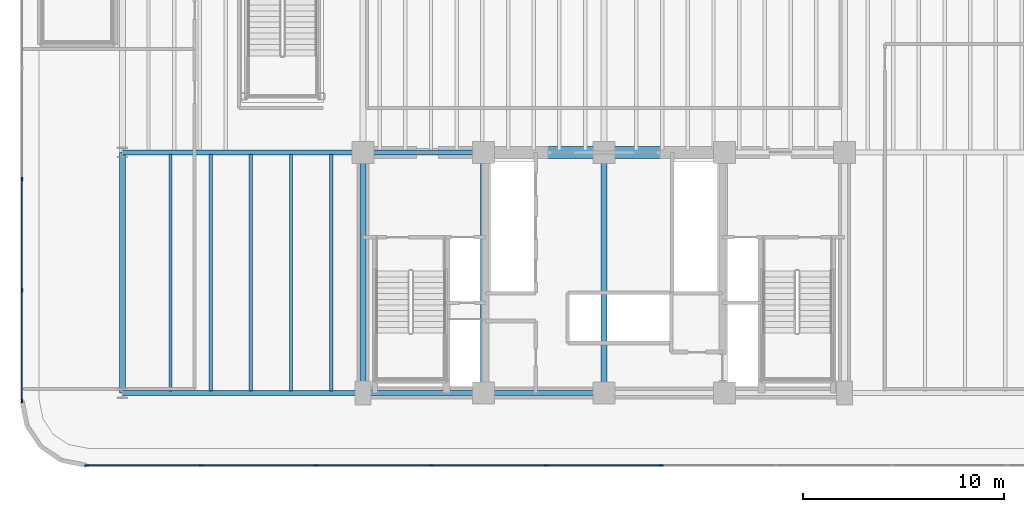
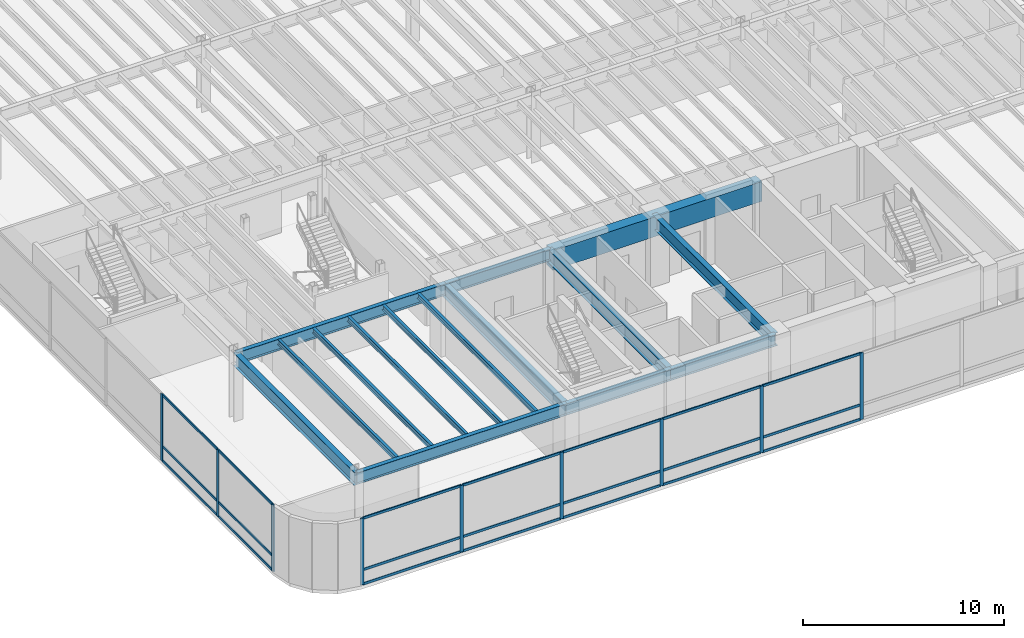
# One storey, part 4 of 19: 30 members, 15 beams, 2 elements without a shape of their own.
"""IFC4 building model written with IfcOpenShell, lengths in metres."""

import ifcopenshell
import ifcopenshell.guid

model = None  # the IFC model being written
_history = None  # IfcOwnerHistory: only IFC2X3 demands one
_inside = {}  # id of a spatial element -> (the spatial element, [elements in it])
_under = {}  # id of a project, library or spatial element -> (it, [spatial elements below it])
_declared = {}  # id of a project -> (the project, [libraries it declares])
_typed = {}  # id of a type object -> (the type object, [elements of that type])
_made_of = {}  # id of a material, layer set ... -> (it, [elements and type objects made of it])


def new_model(schema):
    """Start an empty IFC model of exactly this schema.

    Asked for "IFC4X3", IfcOpenShell would pick the latest addendum, in which some entities
    have other attributes; the version numbers below select the first issue.
    IFC2X3 requires an IfcOwnerHistory on every rooted entity: one is made here for all.
    """
    global model, _history
    if schema == "IFC4X3":
        model = ifcopenshell.file(schema_version=(4, 3, 0, 0))
    else:
        model = ifcopenshell.file(schema=schema)
    _inside.clear()
    _under.clear()
    _declared.clear()
    _typed.clear()
    _made_of.clear()
    _history = None
    if model.schema == "IFC2X3":
        org = make("IfcOrganization", Name="unknown")
        user = make(
            "IfcPersonAndOrganization",
            ThePerson=make("IfcPerson", FamilyName="unknown"),
            TheOrganization=org,
        )
        app = make(
            "IfcApplication",
            ApplicationDeveloper=org,
            Version="unknown",
            ApplicationFullName="unknown",
            ApplicationIdentifier="unknown",
        )
        _history = make(
            "IfcOwnerHistory",
            OwningUser=user,
            OwningApplication=app,
            ChangeAction="ADDED",
            CreationDate=0,
        )
    return model


def make(cls, **values):
    """One entity of the class cls with the attributes given. An attribute that is None is left unset."""
    return model.create_entity(
        cls, **{name: value for name, value in values.items() if value is not None}
    )


def rooted(cls, **values):
    """An entity with a GlobalId (a new one), such as an element, a storey or a relation."""
    return make(cls, GlobalId=ifcopenshell.guid.new(), OwnerHistory=_history, **values)


def si_unit(unit_type, name, prefix=None):
    """IfcSIUnit, for example si_unit("LENGTHUNIT", "METRE", prefix="MILLI")."""
    return make("IfcSIUnit", UnitType=unit_type, Prefix=prefix, Name=name)


def assignment(units):
    """IfcUnitAssignment: the units of a project."""
    return None if units is None else make("IfcUnitAssignment", Units=units)


def point(xyz):
    """IfcCartesianPoint."""
    return None if xyz is None else make("IfcCartesianPoint", Coordinates=xyz)


def direction(xyz):
    """IfcDirection."""
    return None if xyz is None else make("IfcDirection", DirectionRatios=xyz)


def frame(location, z_axis=None, x_axis=None):
    """IfcAxis2Placement3D, a coordinate frame: its origin and axes. An axis left out is left unset."""
    return make(
        "IfcAxis2Placement3D",
        Location=point(location),
        Axis=direction(z_axis),
        RefDirection=direction(x_axis),
    )


def frame_2d(location, x_axis=None):
    """IfcAxis2Placement2D, a coordinate frame in the plane: its origin and x axis."""
    return make(
        "IfcAxis2Placement2D", Location=point(location), RefDirection=direction(x_axis)
    )


def origin():
    """The frame at (0, 0, 0) with its axes left unset."""
    return frame((0.0, 0.0, 0.0))


def origin_2d():
    """The frame at (0, 0) in the plane with its x axis left unset."""
    return frame_2d((0.0, 0.0))


def place(relative_to, where):
    """IfcLocalPlacement: puts the frame where relative to a parent placement (None: the world)."""
    return make(
        "IfcLocalPlacement", PlacementRelTo=relative_to, RelativePlacement=where
    )


def context(
    kind, dimensions, precision=None, world=None, true_north=None, identifier=None
):
    """IfcGeometricRepresentationContext, for example the 3D "Model" context."""
    return make(
        "IfcGeometricRepresentationContext",
        ContextIdentifier=identifier,
        ContextType=kind,
        CoordinateSpaceDimension=dimensions,
        Precision=precision,
        WorldCoordinateSystem=world,
        TrueNorth=true_north,
    )


def subcontext(parent, identifier, kind, view, scale=None):
    """IfcGeometricRepresentationSubContext, for example "Body" below "Model"."""
    return make(
        "IfcGeometricRepresentationSubContext",
        ContextIdentifier=identifier,
        ContextType=kind,
        ParentContext=parent,
        TargetScale=scale,
        TargetView=view,
    )


def project(units=None, contexts=None):
    """IfcProject with its units and contexts."""
    return rooted(
        "IfcProject",
        Name="project",
        RepresentationContexts=contexts,
        UnitsInContext=assignment(units),
    )


def spatial(cls, under=None, at=None, **own):
    """A site, building, storey or space (cls), placed at a placement, below another one or the project."""
    s = rooted(cls, ObjectPlacement=at, **own)
    if under is not None:
        _under.setdefault(under.id(), (under, []))[1].append(s)
    return s


def profile(cls, at=None, kind="AREA", **sizes):
    """A parametric profile (cls). Its sizes go by their IFC names, for example OverallWidth=200.0."""
    return make(cls, ProfileType=kind, Position=at, **sizes)


def rectangle(**sizes):
    """IfcRectangleProfileDef."""
    return profile("IfcRectangleProfileDef", **sizes)


def i_section(**sizes):
    """IfcIShapeProfileDef."""
    return profile("IfcIShapeProfileDef", **sizes)


def extrude(swept, where, along, depth):
    """IfcExtrudedAreaSolid: the profile swept, set in the frame where, extruded along a direction by depth."""
    return make(
        "IfcExtrudedAreaSolid",
        SweptArea=swept,
        Position=where,
        ExtrudedDirection=direction(along),
        Depth=depth,
    )


def shape(context_of_items, identifier, shape_type, items):
    """IfcShapeRepresentation: the items that make up one representation, for example the "Body"."""
    return make(
        "IfcShapeRepresentation",
        ContextOfItems=context_of_items,
        RepresentationIdentifier=identifier,
        RepresentationType=shape_type,
        Items=items,
    )


def source(mapping_origin, context_of_items, identifier, shape_type, items):
    """IfcRepresentationMap: a shape defined once, which mapped items show again and again."""
    return make(
        "IfcRepresentationMap",
        MappingOrigin=mapping_origin,
        MappedRepresentation=shape(context_of_items, identifier, shape_type, items),
    )


def transform(
    local_origin,
    x_axis=None,
    y_axis=None,
    z_axis=None,
    scale=None,
    scale2=None,
    scale3=None,
    uniform=True,
):
    """IfcCartesianTransformationOperator3D, or its non-uniform kind. x_axis, y_axis, z_axis: its Axis1, 2, 3."""
    if uniform:
        return make(
            "IfcCartesianTransformationOperator3D",
            Axis1=direction(x_axis),
            Axis2=direction(y_axis),
            LocalOrigin=point(local_origin),
            Scale=scale,
            Axis3=direction(z_axis),
        )
    return make(
        "IfcCartesianTransformationOperator3DnonUniform",
        Axis1=direction(x_axis),
        Axis2=direction(y_axis),
        LocalOrigin=point(local_origin),
        Scale=scale,
        Axis3=direction(z_axis),
        Scale2=scale2,
        Scale3=scale3,
    )


def mapped(mapping_source, mapping_target):
    """IfcMappedItem: shows the shape of a source again, moved by a transform."""
    return make(
        "IfcMappedItem", MappingSource=mapping_source, MappingTarget=mapping_target
    )


def material(Name=None, Category=None):
    """IfcMaterial."""
    return make("IfcMaterial", Name=Name, Category=Category)


def layer(
    of_material, thickness, ventilated=None, Name=None, Category=None, Priority=None
):
    """IfcMaterialLayer: one layer of a wall or slab, of a material (None: an air gap)."""
    return make(
        "IfcMaterialLayer",
        Material=of_material,
        LayerThickness=thickness,
        IsVentilated=ventilated,
        Name=Name,
        Category=Category,
        Priority=Priority,
    )


def layer_set(layers, Name=None):
    """IfcMaterialLayerSet."""
    return make("IfcMaterialLayerSet", MaterialLayers=layers, LayerSetName=Name)


def material_profile(
    of_material, cross_section, Name=None, Category=None, Priority=None
):
    """IfcMaterialProfile: a cross section and its material."""
    return make(
        "IfcMaterialProfile",
        Name=Name,
        Material=of_material,
        Profile=cross_section,
        Priority=Priority,
        Category=Category,
    )


def profile_set(profiles, Name=None, composite=None):
    """IfcMaterialProfileSet."""
    return make(
        "IfcMaterialProfileSet",
        Name=Name,
        MaterialProfiles=profiles,
        CompositeProfile=composite,
    )


def made_of(thing, what):
    """Note that an element or type object is made of a material, layer set ...; save() writes the relation."""
    if what is not None:
        _made_of.setdefault(what.id(), (what, []))[1].append(thing)
    return thing


def type_object(cls, material=None, **own):
    """A type object (cls), such as IfcWallType, which elements share."""
    return made_of(rooted(cls, **own), material)


def element(
    cls,
    number,
    at=None,
    inside=None,
    cuts=None,
    type_object=None,
    material=None,
    context=None,
    identifier="Body",
    shape_type=None,
    held_by="IfcProductDefinitionShape",
    body=None,
    shapes=None,
    **own,
):
    """One element of the class cls, such as IfcWall. Its Tag is "e" and its number.

    at: its placement. inside: the storey or other place that contains it. cuts: it is an
    opening in that element (IfcRelVoidsElement). A single representation is given by context,
    identifier, shape_type and body (its items); several are given by shapes. held_by: the class
    of the entity that holds the representations. save() writes the other relations.
    """
    e = rooted(cls, Tag="e%d" % number, ObjectPlacement=at, **own)
    if body is not None:
        shapes = [shape(context, identifier, shape_type, body)]
    if shapes is not None:
        e.Representation = make(held_by, Representations=shapes)
    if inside is not None:
        _inside.setdefault(inside.id(), (inside, []))[1].append(e)
    if cuts is not None:
        rooted(
            "IfcRelVoidsElement", RelatingBuildingElement=cuts, RelatedOpeningElement=e
        )
    if type_object is not None:
        _typed.setdefault(type_object.id(), (type_object, []))[1].append(e)
    return made_of(e, material)


def aggregate(whole, parts):
    """IfcRelAggregates: a whole, such as a stair, and the parts it consists of."""
    return rooted("IfcRelAggregates", RelatingObject=whole, RelatedObjects=parts)


def save(model, path):
    """Write the relations noted so far, then the file.

    IfcRelAggregates (storeys below a building ...), IfcRelContainedInSpatialStructure (elements
    in a storey), IfcRelDefinesByType, IfcRelAssociatesMaterial and IfcRelDeclares: one each for
    every whole, place, type object, material and project.
    """
    for whole, parts in _under.values():
        aggregate(whole, parts)
    for where, things in _inside.values():
        rooted(
            "IfcRelContainedInSpatialStructure",
            RelatedElements=things,
            RelatingStructure=where,
        )
    for kind, things in _typed.values():
        rooted("IfcRelDefinesByType", RelatedObjects=things, RelatingType=kind)
    for what, things in _made_of.values():
        rooted("IfcRelAssociatesMaterial", RelatedObjects=things, RelatingMaterial=what)
    for by, libraries in _declared.values():
        rooted("IfcRelDeclares", RelatingContext=by, RelatedDefinitions=libraries)
    model.write(path)


model = new_model("IFC4")

# Units and contexts
model_context = context("Model", 3, precision=1e-05, world=origin(), true_north=direction((0.0, 1.0)))
body_context = subcontext(model_context, "Body", "Model", "MODEL_VIEW")
ifc_project = project(units=[si_unit("LENGTHUNIT", "METRE"), si_unit("AREAUNIT", "SQUARE_METRE"), si_unit("VOLUMEUNIT", "CUBIC_METRE"), si_unit("PLANEANGLEUNIT", "RADIAN"), si_unit("MASSUNIT", "GRAM", prefix="KILO")], contexts=[model_context])

# Site, building, storey
site_placement = place(None, origin())
site = spatial("IfcSite", under=ifc_project, at=site_placement, CompositionType="ELEMENT")
building_placement = place(site_placement, origin())
building = spatial("IfcBuilding", under=site, at=building_placement, Name="Brelvock Crest Care Tower", CompositionType="ELEMENT")
storey_placement = place(building_placement, frame((0.0, 0.0, 14.0400390625)))
storey = spatial("IfcBuildingStorey", under=building, at=storey_placement, Name="L03", CompositionType="ELEMENT", Elevation=14.0400390625)

# Beams
ifc_material_1 = material(Name="Concrete S80 (80 MPa)", Category="concrete")
ifc_material_profile_1 = material_profile(ifc_material_1, rectangle(XDim=0.60009765625, YDim=1.199951171875, at=origin_2d()), Name="RC600x1200")
ifc_profile_set_1 = profile_set([ifc_material_profile_1], Name="Concrete S80 (80 MPa)")
beam_type_1 = type_object("IfcBeamType", Name="BM-LN1", PredefinedType="LINTEL", material=ifc_profile_set_1)
shared_shape_1 = source(origin(), body_context, "Body", "SweptSolid", [
    extrude(rectangle(XDim=0.60009765625, YDim=1.199951171875, at=origin_2d()), origin(), (0.0, 0.0, 1.0), 12.0),
])
beam_placement = place(storey_placement, frame((30.0, 18.0, 3.43994140625), z_axis=(1.0, 0.0, 0.0), x_axis=(0.0, 1.0, 0.0)))
element("IfcBeam", 1, at=beam_placement, inside=storey, type_object=beam_type_1, Name="L03 Core Coupling Lintel Beam", PredefinedType="LINTEL", context=body_context, shape_type="MappedRepresentation", body=[
    mapped(shared_shape_1, transform((0.0, 0.0, 0.0), x_axis=(1.0, 0.0, 0.0), y_axis=(0.0, 1.0, 0.0), z_axis=(0.0, 0.0, 1.0), scale=1.0)),
])
ifc_material_2 = material(Name="Steel Grade 350", Category="steel")
ifc_material_profile_2 = material_profile(ifc_material_2, i_section(OverallWidth=0.25, OverallDepth=0.699951171875, WebThickness=0.011962890625, FlangeThickness=0.02001953125, at=origin_2d()), Name="700WB150")
ifc_profile_set_2 = profile_set([ifc_material_profile_2], Name="Steel Grade 350")
beam_type_2 = type_object("IfcBeamType", Name="BM-G4", PredefinedType="BEAM", material=ifc_profile_set_2)
shared_shape_2 = source(origin(), body_context, "Body", "SweptSolid", [
    extrude(i_section(OverallWidth=0.25, OverallDepth=0.699951171875, WebThickness=0.011962890625, FlangeThickness=0.02001953125, at=origin_2d()), origin(), (0.0, 0.0, 1.0), 6.0),
])
for number, where, z_axis, x_axis, name in (
    (2, (24.0, 6.0, 3.68994140625), (1.0, 0.0, 0.0), (0.0, 1.0, 0.0), "BM-CORES-L03-1"),
    (3, (24.0, 18.0, 3.68994140625), (1.0, 0.0, 0.0), (0.0, 1.0, 0.0), "BM-COREN-L03-1"),
    (4, (30.0, 6.0, 3.68994140625), (1.0, 0.0, 0.0), (0.0, 1.0, 0.0), "BM-CORES-L03-2"),
):
    element("IfcBeam", number, at=place(storey_placement, frame(where, z_axis=z_axis, x_axis=x_axis)), inside=storey, type_object=beam_type_2, Name=name, PredefinedType="BEAM", context=body_context, shape_type="MappedRepresentation", body=[
        mapped(shared_shape_2, transform((0.0, 0.0, 0.0), x_axis=(1.0, 0.0, 0.0), y_axis=(0.0, 1.0, 0.0), z_axis=(0.0, 0.0, 1.0), scale=1.0)),
    ])
ifc_material_profile_3 = material_profile(ifc_material_2, i_section(OverallWidth=0.300048828125, OverallDepth=0.800048828125, WebThickness=0.013916015625, FlangeThickness=0.02197265625, at=origin_2d()), Name="800WB192")
ifc_profile_set_3 = profile_set([ifc_material_profile_3], Name="Steel Grade 350")
beam_type_3 = type_object("IfcBeamType", Name="BM-G5", PredefinedType="BEAM", material=ifc_profile_set_3)
shared_shape_3 = source(origin(), body_context, "Body", "SweptSolid", [
    extrude(i_section(OverallWidth=0.300048828125, OverallDepth=0.800048828125, WebThickness=0.013916015625, FlangeThickness=0.02197265625, at=origin_2d()), origin(), (0.0, 0.0, 1.0), 12.0),
])
for number, where, z_axis, x_axis, name in (
    (5, (24.0, 6.0, 3.639892578125), (0.0, 1.0, 0.0), (-1.0, 0.0, 0.0), "BM-COREX-L03-1"),
    (6, (30.0, 6.0, 3.639892578125), (0.0, 1.0, 0.0), (-1.0, 0.0, 0.0), "BM-COREX-L03-2"),
    (7, (36.0, 6.0, 3.639892578125), (0.0, 1.0, 0.0), (-1.0, 0.0, 0.0), "BM-COREX-L03-3"),
    (8, (12.0, 6.0, 3.639892578125), (0.0, 1.0, 0.0), (-1.0, 0.0, 0.0), "BM-PODY-L03-12-6"),
):
    element("IfcBeam", number, at=place(storey_placement, frame(where, z_axis=z_axis, x_axis=x_axis)), inside=storey, type_object=beam_type_3, Name=name, PredefinedType="BEAM", context=body_context, shape_type="MappedRepresentation", body=[
        mapped(shared_shape_3, transform((0.0, 0.0, 0.0), x_axis=(1.0, 0.0, 0.0), y_axis=(0.0, 1.0, 0.0), z_axis=(0.0, 0.0, 1.0), scale=1.0)),
    ])
ifc_material_profile_4 = material_profile(ifc_material_2, i_section(OverallWidth=0.166015625, OverallDepth=0.306884765625, WebThickness=0.006591796875, FlangeThickness=0.01171875, FilletRadius=0.011474609375, at=origin_2d()), Name="310UB46.2")
ifc_profile_set_4 = profile_set([ifc_material_profile_4], Name="Steel Grade 350")
beam_type_4 = type_object("IfcBeamType", Name="BM-J2", PredefinedType="JOIST", material=ifc_profile_set_4)
shared_shape_4 = source(origin(), body_context, "Body", "SweptSolid", [
    extrude(i_section(OverallWidth=0.166015625, OverallDepth=0.306884765625, WebThickness=0.006591796875, FlangeThickness=0.01171875, FilletRadius=0.011474609375, at=origin_2d()), origin(), (0.0, 0.0, 1.0), 11.77001953125),
])
for number, where, z_axis, x_axis, name in (
    (9, (14.39990234375, 6.114990234375, 3.886474609375), (0.0, 1.0, 0.0), (-1.0, 0.0, 0.0), "BM-PODSJ-L03-144"),
    (10, (16.39990234375, 6.114990234375, 3.886474609375), (0.0, 1.0, 0.0), (-1.0, 0.0, 0.0), "BM-PODSJ-L03-164"),
    (11, (18.39990234375, 6.114990234375, 3.886474609375), (0.0, 1.0, 0.0), (-1.0, 0.0, 0.0), "BM-PODSJ-L03-184"),
    (12, (20.39990234375, 6.114990234375, 3.886474609375), (0.0, 1.0, 0.0), (-1.0, 0.0, 0.0), "BM-PODSJ-L03-204"),
    (13, (22.39990234375, 6.114990234375, 3.886474609375), (0.0, 1.0, 0.0), (-1.0, 0.0, 0.0), "BM-PODSJ-L03-224"),
):
    element("IfcBeam", number, at=place(storey_placement, frame(where, z_axis=z_axis, x_axis=x_axis)), inside=storey, type_object=beam_type_4, Name=name, PredefinedType="JOIST", context=body_context, shape_type="MappedRepresentation", body=[
        mapped(shared_shape_4, transform((0.0, 0.0, 0.0), x_axis=(1.0, 0.0, 0.0), y_axis=(0.0, 1.0, 0.0), z_axis=(0.0, 0.0, 1.0), scale=1.0)),
    ])
shared_shape_5 = source(origin(), body_context, "Body", "SweptSolid", [
    extrude(i_section(OverallWidth=0.25, OverallDepth=0.699951171875, WebThickness=0.011962890625, FlangeThickness=0.02001953125, at=origin_2d()), origin(), (0.0, 0.0, 1.0), 12.0),
])
for number, where, z_axis, x_axis, name in (
    (14, (12.0, 6.0, 3.68994140625), (1.0, 0.0, 0.0), (0.0, 1.0, 0.0), "BM-PODX-L03-6-12"),
    (15, (12.0, 18.0, 3.68994140625), (1.0, 0.0, 0.0), (0.0, 1.0, 0.0), "BM-PODX-L03-18-12"),
):
    element("IfcBeam", number, at=place(storey_placement, frame(where, z_axis=z_axis, x_axis=x_axis)), inside=storey, type_object=beam_type_2, Name=name, PredefinedType="BEAM", context=body_context, shape_type="MappedRepresentation", body=[
        mapped(shared_shape_5, transform((0.0, 0.0, 0.0), x_axis=(1.0, 0.0, 0.0), y_axis=(0.0, 1.0, 0.0), z_axis=(0.0, 0.0, 1.0), scale=1.0)),
    ])

# Curtain wall, members
ifc_material_3 = material(Name="Dark Glass Double Glazed Low-E", Category="glass")
ifc_layer = layer(ifc_material_3, 0.179931640625, Name="CWS-1")
ifc_layer_set = layer_set([ifc_layer], Name="Dark Glass Double Glazed Low-E")
curtain_wall_type = type_object("IfcCurtainWallType", Name="CWS-1", PredefinedType="NOTDEFINED", material=ifc_layer_set)
curtain_wall_1_placement = place(storey_placement, origin())
curtain_wall_1 = element("IfcCurtainWall", 16, at=curtain_wall_1_placement, inside=storey, type_object=curtain_wall_type, Name="L03 Curtain Wall E04", PredefinedType="NOTDEFINED")
ifc_material_4 = material(Name="Aluminium 6063-T6", Category="aluminium")
ifc_material_profile_5 = material_profile(ifc_material_4, rectangle(XDim=0.06494140625, YDim=0.199951171875, at=origin_2d()), Name="ALU65x200")
ifc_profile_set_5 = profile_set([ifc_material_profile_5], Name="Aluminium 6063-T6")
member_type_1 = type_object("IfcMemberType", Name="CWM-1", PredefinedType="MULLION", material=ifc_profile_set_5)
shared_shape_6 = source(origin(), body_context, "Body", "SweptSolid", [
    extrude(rectangle(XDim=0.06494140625, YDim=0.199951171875, at=origin_2d()), origin(), (0.0, 0.0, 1.0), 4.0400390625),
])
member_1_placement = place(storey_placement, frame((7.0, 5.632568359375, 0.0), z_axis=(0.0, 0.0, 1.0), x_axis=(-1.0, 0.0, 0.0)))
member_1 = element("IfcMember", 17, at=member_1_placement, type_object=member_type_1, Name="CW-1 mullion 1", PredefinedType="MULLION", context=body_context, shape_type="MappedRepresentation", body=[
    mapped(shared_shape_6, transform((0.0, 0.0, 0.0), x_axis=(1.0, 0.0, 0.0), y_axis=(0.0, 1.0, 0.0), z_axis=(0.0, 0.0, 1.0), scale=1.0)),
])
member_2_placement = place(storey_placement, frame((7.0, 11.13330078125, 0.0), z_axis=(0.0, 0.0, 1.0), x_axis=(-1.0, 0.0, 0.0)))
member_2 = element("IfcMember", 18, at=member_2_placement, type_object=member_type_1, Name="CW-1 mullion 2", PredefinedType="MULLION", context=body_context, shape_type="MappedRepresentation", body=[
    mapped(shared_shape_6, transform((0.0, 0.0, 0.0), x_axis=(1.0, 0.0, 0.0), y_axis=(0.0, 1.0, 0.0), z_axis=(0.0, 0.0, 1.0), scale=1.0)),
])
member_3_placement = place(storey_placement, frame((7.0, 16.666748046875, 0.0), z_axis=(0.0, 0.0, 1.0), x_axis=(-1.0, 0.0, 0.0)))
member_3 = element("IfcMember", 19, at=member_3_placement, type_object=member_type_1, Name="CW-1 mullion 3", PredefinedType="MULLION", context=body_context, shape_type="MappedRepresentation", body=[
    mapped(shared_shape_6, transform((0.0, 0.0, 0.0), x_axis=(1.0, 0.0, 0.0), y_axis=(0.0, 1.0, 0.0), z_axis=(0.0, 0.0, 1.0), scale=1.0)),
])

curtain_wall_2_placement = place(storey_placement, origin())
curtain_wall_2 = element("IfcCurtainWall", 20, at=curtain_wall_2_placement, inside=storey, type_object=curtain_wall_type, Name="L03 Curtain Wall E19", PredefinedType="NOTDEFINED")
member_4_placement = place(storey_placement, frame((38.86669921875, 2.39990234375, 0.0), z_axis=(0.0, 0.0, 1.0), x_axis=(0.0, -1.0, 0.0)))
member_4 = element("IfcMember", 21, at=member_4_placement, type_object=member_type_1, Name="CW-1 mullion 5", PredefinedType="MULLION", context=body_context, shape_type="MappedRepresentation", body=[
    mapped(shared_shape_6, transform((0.0, 0.0, 0.0), x_axis=(1.0, 0.0, 0.0), y_axis=(0.0, 1.0, 0.0), z_axis=(0.0, 0.0, 1.0), scale=1.0)),
])
member_5_placement = place(storey_placement, frame((33.13330078125, 2.39990234375, 0.0), z_axis=(0.0, 0.0, 1.0), x_axis=(0.0, -1.0, 0.0)))
member_5 = element("IfcMember", 22, at=member_5_placement, type_object=member_type_1, Name="CW-1 mullion 6", PredefinedType="MULLION", context=body_context, shape_type="MappedRepresentation", body=[
    mapped(shared_shape_6, transform((0.0, 0.0, 0.0), x_axis=(1.0, 0.0, 0.0), y_axis=(0.0, 1.0, 0.0), z_axis=(0.0, 0.0, 1.0), scale=1.0)),
])
member_6_placement = place(storey_placement, frame((27.39990234375, 2.39990234375, 0.0), z_axis=(0.0, 0.0, 1.0), x_axis=(0.0, -1.0, 0.0)))
member_6 = element("IfcMember", 23, at=member_6_placement, type_object=member_type_1, Name="CW-1 mullion 7", PredefinedType="MULLION", context=body_context, shape_type="MappedRepresentation", body=[
    mapped(shared_shape_6, transform((0.0, 0.0, 0.0), x_axis=(1.0, 0.0, 0.0), y_axis=(0.0, 1.0, 0.0), z_axis=(0.0, 0.0, 1.0), scale=1.0)),
])
member_7_placement = place(storey_placement, frame((21.666748046875, 2.39990234375, 0.0), z_axis=(0.0, 0.0, 1.0), x_axis=(0.0, -1.0, 0.0)))
member_7 = element("IfcMember", 24, at=member_7_placement, type_object=member_type_1, Name="CW-1 mullion 8", PredefinedType="MULLION", context=body_context, shape_type="MappedRepresentation", body=[
    mapped(shared_shape_6, transform((0.0, 0.0, 0.0), x_axis=(1.0, 0.0, 0.0), y_axis=(0.0, 1.0, 0.0), z_axis=(0.0, 0.0, 1.0), scale=1.0)),
])
member_8_placement = place(storey_placement, frame((15.933349609375, 2.39990234375, 0.0), z_axis=(0.0, 0.0, 1.0), x_axis=(0.0, -1.0, 0.0)))
member_8 = element("IfcMember", 25, at=member_8_placement, type_object=member_type_1, Name="CW-1 mullion 9", PredefinedType="MULLION", context=body_context, shape_type="MappedRepresentation", body=[
    mapped(shared_shape_6, transform((0.0, 0.0, 0.0), x_axis=(1.0, 0.0, 0.0), y_axis=(0.0, 1.0, 0.0), z_axis=(0.0, 0.0, 1.0), scale=1.0)),
])
member_9_placement = place(storey_placement, frame((10.232421875, 2.39990234375, 0.0), z_axis=(0.0, 0.0, 1.0), x_axis=(0.0, -1.0, 0.0)))
member_9 = element("IfcMember", 26, at=member_9_placement, type_object=member_type_1, Name="CW-1 mullion 10", PredefinedType="MULLION", context=body_context, shape_type="MappedRepresentation", body=[
    mapped(shared_shape_6, transform((0.0, 0.0, 0.0), x_axis=(1.0, 0.0, 0.0), y_axis=(0.0, 1.0, 0.0), z_axis=(0.0, 0.0, 1.0), scale=1.0)),
])

# Member
ifc_material_profile_6 = material_profile(ifc_material_4, rectangle(XDim=0.06494140625, YDim=0.14990234375, at=origin_2d()), Name="ALU65x150")
ifc_profile_set_6 = profile_set([ifc_material_profile_6], Name="Aluminium 6063-T6")
member_type_2 = type_object("IfcMemberType", Name="CWT-1", PredefinedType="USERDEFINED", material=ifc_profile_set_6)
shared_shape_7 = source(origin(), body_context, "Body", "SweptSolid", [
    extrude(rectangle(XDim=0.06494140625, YDim=0.14990234375, at=origin_2d()), origin(), (0.0, 0.0, 1.0), 5.435791015625),
])
member_10_placement = place(storey_placement, frame((7.0, 5.6650390625, 0.032470703125), z_axis=(0.0, 1.0, 0.0), x_axis=(-1.0, 0.0, 0.0)))
member_10 = element("IfcMember", 27, at=member_10_placement, type_object=member_type_2, Name="CW-1 transom 1.1", ObjectType="TRANSOM", PredefinedType="USERDEFINED", context=body_context, shape_type="MappedRepresentation", body=[
    mapped(shared_shape_7, transform((0.0, 0.0, 0.0), x_axis=(1.0, 0.0, 0.0), y_axis=(0.0, 1.0, 0.0), z_axis=(0.0, 0.0, 1.0), scale=1.0)),
])

member_11_placement = place(storey_placement, frame((7.0, 5.6650390625, 0.89990234375), z_axis=(0.0, 1.0, 0.0), x_axis=(-1.0, 0.0, 0.0)))
member_11 = element("IfcMember", 28, at=member_11_placement, type_object=member_type_2, Name="CW-1 transom 1.2", ObjectType="TRANSOM", PredefinedType="USERDEFINED", context=body_context, shape_type="MappedRepresentation", body=[
    mapped(shared_shape_7, transform((0.0, 0.0, 0.0), x_axis=(1.0, 0.0, 0.0), y_axis=(0.0, 1.0, 0.0), z_axis=(0.0, 0.0, 1.0), scale=1.0)),
])

member_12_placement = place(storey_placement, frame((7.0, 5.6650390625, 4.007568359375), z_axis=(0.0, 1.0, 0.0), x_axis=(-1.0, 0.0, 0.0)))
member_12 = element("IfcMember", 29, at=member_12_placement, type_object=member_type_2, Name="CW-1 transom 1.3", ObjectType="TRANSOM", PredefinedType="USERDEFINED", context=body_context, shape_type="MappedRepresentation", body=[
    mapped(shared_shape_7, transform((0.0, 0.0, 0.0), x_axis=(1.0, 0.0, 0.0), y_axis=(0.0, 1.0, 0.0), z_axis=(0.0, 0.0, 1.0), scale=1.0)),
])

shared_shape_8 = source(origin(), body_context, "Body", "SweptSolid", [
    extrude(rectangle(XDim=0.06494140625, YDim=0.14990234375, at=origin_2d()), origin(), (0.0, 0.0, 1.0), 5.468505859375),
])
member_13_placement = place(storey_placement, frame((7.0, 11.165771484375, 0.032470703125), z_axis=(0.0, 1.0, 0.0), x_axis=(-1.0, 0.0, 0.0)))
member_13 = element("IfcMember", 30, at=member_13_placement, type_object=member_type_2, Name="CW-1 transom 2.1", ObjectType="TRANSOM", PredefinedType="USERDEFINED", context=body_context, shape_type="MappedRepresentation", body=[
    mapped(shared_shape_8, transform((0.0, 0.0, 0.0), x_axis=(1.0, 0.0, 0.0), y_axis=(0.0, 1.0, 0.0), z_axis=(0.0, 0.0, 1.0), scale=1.0)),
])

member_14_placement = place(storey_placement, frame((7.0, 11.165771484375, 0.89990234375), z_axis=(0.0, 1.0, 0.0), x_axis=(-1.0, 0.0, 0.0)))
member_14 = element("IfcMember", 31, at=member_14_placement, type_object=member_type_2, Name="CW-1 transom 2.2", ObjectType="TRANSOM", PredefinedType="USERDEFINED", context=body_context, shape_type="MappedRepresentation", body=[
    mapped(shared_shape_8, transform((0.0, 0.0, 0.0), x_axis=(1.0, 0.0, 0.0), y_axis=(0.0, 1.0, 0.0), z_axis=(0.0, 0.0, 1.0), scale=1.0)),
])

member_15_placement = place(storey_placement, frame((7.0, 11.165771484375, 4.007568359375), z_axis=(0.0, 1.0, 0.0), x_axis=(-1.0, 0.0, 0.0)))
member_15 = element("IfcMember", 32, at=member_15_placement, type_object=member_type_2, Name="CW-1 transom 2.3", ObjectType="TRANSOM", PredefinedType="USERDEFINED", context=body_context, shape_type="MappedRepresentation", body=[
    mapped(shared_shape_8, transform((0.0, 0.0, 0.0), x_axis=(1.0, 0.0, 0.0), y_axis=(0.0, 1.0, 0.0), z_axis=(0.0, 0.0, 1.0), scale=1.0)),
])

aggregate(curtain_wall_1, [member_1, member_2, member_3, member_10, member_11, member_12, member_13, member_14, member_15])

shared_shape_9 = source(origin(), body_context, "Body", "SweptSolid", [
    extrude(rectangle(XDim=0.06494140625, YDim=0.14990234375, at=origin_2d()), origin(), (0.0, 0.0, 1.0), 5.635986328125),
])
member_16_placement = place(storey_placement, frame((15.90087890625, 2.39990234375, 0.032470703125), z_axis=(-1.0, 0.0, 0.0), x_axis=(0.0, -1.0, 0.0)))
member_16 = element("IfcMember", 33, at=member_16_placement, type_object=member_type_2, Name="CW-1 transom 9.1", ObjectType="TRANSOM", PredefinedType="USERDEFINED", context=body_context, shape_type="MappedRepresentation", body=[
    mapped(shared_shape_9, transform((0.0, 0.0, 0.0), x_axis=(1.0, 0.0, 0.0), y_axis=(0.0, 1.0, 0.0), z_axis=(0.0, 0.0, 1.0), scale=1.0)),
])

member_17_placement = place(storey_placement, frame((15.90087890625, 2.39990234375, 0.89990234375), z_axis=(-1.0, 0.0, 0.0), x_axis=(0.0, -1.0, 0.0)))
member_17 = element("IfcMember", 34, at=member_17_placement, type_object=member_type_2, Name="CW-1 transom 9.2", ObjectType="TRANSOM", PredefinedType="USERDEFINED", context=body_context, shape_type="MappedRepresentation", body=[
    mapped(shared_shape_9, transform((0.0, 0.0, 0.0), x_axis=(1.0, 0.0, 0.0), y_axis=(0.0, 1.0, 0.0), z_axis=(0.0, 0.0, 1.0), scale=1.0)),
])

member_18_placement = place(storey_placement, frame((15.90087890625, 2.39990234375, 4.007568359375), z_axis=(-1.0, 0.0, 0.0), x_axis=(0.0, -1.0, 0.0)))
member_18 = element("IfcMember", 35, at=member_18_placement, type_object=member_type_2, Name="CW-1 transom 9.3", ObjectType="TRANSOM", PredefinedType="USERDEFINED", context=body_context, shape_type="MappedRepresentation", body=[
    mapped(shared_shape_9, transform((0.0, 0.0, 0.0), x_axis=(1.0, 0.0, 0.0), y_axis=(0.0, 1.0, 0.0), z_axis=(0.0, 0.0, 1.0), scale=1.0)),
])

shared_shape_10 = source(origin(), body_context, "Body", "SweptSolid", [
    extrude(rectangle(XDim=0.06494140625, YDim=0.14990234375, at=origin_2d()), origin(), (0.0, 0.0, 1.0), 5.66845703125),
])
member_19_placement = place(storey_placement, frame((38.834228515625, 2.39990234375, 0.032470703125), z_axis=(-1.0, 0.0, 0.0), x_axis=(0.0, -1.0, 0.0)))
member_19 = element("IfcMember", 36, at=member_19_placement, type_object=member_type_2, Name="CW-1 transom 5.1", ObjectType="TRANSOM", PredefinedType="USERDEFINED", context=body_context, shape_type="MappedRepresentation", body=[
    mapped(shared_shape_10, transform((0.0, 0.0, 0.0), x_axis=(1.0, 0.0, 0.0), y_axis=(0.0, 1.0, 0.0), z_axis=(0.0, 0.0, 1.0), scale=1.0)),
])

member_20_placement = place(storey_placement, frame((38.834228515625, 2.39990234375, 0.89990234375), z_axis=(-1.0, 0.0, 0.0), x_axis=(0.0, -1.0, 0.0)))
member_20 = element("IfcMember", 37, at=member_20_placement, type_object=member_type_2, Name="CW-1 transom 5.2", ObjectType="TRANSOM", PredefinedType="USERDEFINED", context=body_context, shape_type="MappedRepresentation", body=[
    mapped(shared_shape_10, transform((0.0, 0.0, 0.0), x_axis=(1.0, 0.0, 0.0), y_axis=(0.0, 1.0, 0.0), z_axis=(0.0, 0.0, 1.0), scale=1.0)),
])

member_21_placement = place(storey_placement, frame((38.834228515625, 2.39990234375, 4.007568359375), z_axis=(-1.0, 0.0, 0.0), x_axis=(0.0, -1.0, 0.0)))
member_21 = element("IfcMember", 38, at=member_21_placement, type_object=member_type_2, Name="CW-1 transom 5.3", ObjectType="TRANSOM", PredefinedType="USERDEFINED", context=body_context, shape_type="MappedRepresentation", body=[
    mapped(shared_shape_10, transform((0.0, 0.0, 0.0), x_axis=(1.0, 0.0, 0.0), y_axis=(0.0, 1.0, 0.0), z_axis=(0.0, 0.0, 1.0), scale=1.0)),
])

member_22_placement = place(storey_placement, frame((21.63427734375, 2.39990234375, 0.032470703125), z_axis=(-1.0, 0.0, 0.0), x_axis=(0.0, -1.0, 0.0)))
member_22 = element("IfcMember", 39, at=member_22_placement, type_object=member_type_2, Name="CW-1 transom 8.1", ObjectType="TRANSOM", PredefinedType="USERDEFINED", context=body_context, shape_type="MappedRepresentation", body=[
    mapped(shared_shape_10, transform((0.0, 0.0, 0.0), x_axis=(1.0, 0.0, 0.0), y_axis=(0.0, 1.0, 0.0), z_axis=(0.0, 0.0, 1.0), scale=1.0)),
])

member_23_placement = place(storey_placement, frame((21.63427734375, 2.39990234375, 0.89990234375), z_axis=(-1.0, 0.0, 0.0), x_axis=(0.0, -1.0, 0.0)))
member_23 = element("IfcMember", 40, at=member_23_placement, type_object=member_type_2, Name="CW-1 transom 8.2", ObjectType="TRANSOM", PredefinedType="USERDEFINED", context=body_context, shape_type="MappedRepresentation", body=[
    mapped(shared_shape_10, transform((0.0, 0.0, 0.0), x_axis=(1.0, 0.0, 0.0), y_axis=(0.0, 1.0, 0.0), z_axis=(0.0, 0.0, 1.0), scale=1.0)),
])

member_24_placement = place(storey_placement, frame((21.63427734375, 2.39990234375, 4.007568359375), z_axis=(-1.0, 0.0, 0.0), x_axis=(0.0, -1.0, 0.0)))
member_24 = element("IfcMember", 41, at=member_24_placement, type_object=member_type_2, Name="CW-1 transom 8.3", ObjectType="TRANSOM", PredefinedType="USERDEFINED", context=body_context, shape_type="MappedRepresentation", body=[
    mapped(shared_shape_10, transform((0.0, 0.0, 0.0), x_axis=(1.0, 0.0, 0.0), y_axis=(0.0, 1.0, 0.0), z_axis=(0.0, 0.0, 1.0), scale=1.0)),
])

shared_shape_11 = source(origin(), body_context, "Body", "SweptSolid", [
    extrude(rectangle(XDim=0.06494140625, YDim=0.14990234375, at=origin_2d()), origin(), (0.0, 0.0, 1.0), 5.668212890625),
])
member_25_placement = place(storey_placement, frame((33.100830078125, 2.39990234375, 0.032470703125), z_axis=(-1.0, 0.0, 0.0), x_axis=(0.0, -1.0, 0.0)))
member_25 = element("IfcMember", 42, at=member_25_placement, type_object=member_type_2, Name="CW-1 transom 6.1", ObjectType="TRANSOM", PredefinedType="USERDEFINED", context=body_context, shape_type="MappedRepresentation", body=[
    mapped(shared_shape_11, transform((0.0, 0.0, 0.0), x_axis=(1.0, 0.0, 0.0), y_axis=(0.0, 1.0, 0.0), z_axis=(0.0, 0.0, 1.0), scale=1.0)),
])

member_26_placement = place(storey_placement, frame((33.100830078125, 2.39990234375, 0.89990234375), z_axis=(-1.0, 0.0, 0.0), x_axis=(0.0, -1.0, 0.0)))
member_26 = element("IfcMember", 43, at=member_26_placement, type_object=member_type_2, Name="CW-1 transom 6.2", ObjectType="TRANSOM", PredefinedType="USERDEFINED", context=body_context, shape_type="MappedRepresentation", body=[
    mapped(shared_shape_11, transform((0.0, 0.0, 0.0), x_axis=(1.0, 0.0, 0.0), y_axis=(0.0, 1.0, 0.0), z_axis=(0.0, 0.0, 1.0), scale=1.0)),
])

member_27_placement = place(storey_placement, frame((33.100830078125, 2.39990234375, 4.007568359375), z_axis=(-1.0, 0.0, 0.0), x_axis=(0.0, -1.0, 0.0)))
member_27 = element("IfcMember", 44, at=member_27_placement, type_object=member_type_2, Name="CW-1 transom 6.3", ObjectType="TRANSOM", PredefinedType="USERDEFINED", context=body_context, shape_type="MappedRepresentation", body=[
    mapped(shared_shape_11, transform((0.0, 0.0, 0.0), x_axis=(1.0, 0.0, 0.0), y_axis=(0.0, 1.0, 0.0), z_axis=(0.0, 0.0, 1.0), scale=1.0)),
])

member_28_placement = place(storey_placement, frame((27.367431640625, 2.39990234375, 0.032470703125), z_axis=(-1.0, 0.0, 0.0), x_axis=(0.0, -1.0, 0.0)))
member_28 = element("IfcMember", 45, at=member_28_placement, type_object=member_type_2, Name="CW-1 transom 7.1", ObjectType="TRANSOM", PredefinedType="USERDEFINED", context=body_context, shape_type="MappedRepresentation", body=[
    mapped(shared_shape_11, transform((0.0, 0.0, 0.0), x_axis=(1.0, 0.0, 0.0), y_axis=(0.0, 1.0, 0.0), z_axis=(0.0, 0.0, 1.0), scale=1.0)),
])

member_29_placement = place(storey_placement, frame((27.367431640625, 2.39990234375, 0.89990234375), z_axis=(-1.0, 0.0, 0.0), x_axis=(0.0, -1.0, 0.0)))
member_29 = element("IfcMember", 46, at=member_29_placement, type_object=member_type_2, Name="CW-1 transom 7.2", ObjectType="TRANSOM", PredefinedType="USERDEFINED", context=body_context, shape_type="MappedRepresentation", body=[
    mapped(shared_shape_11, transform((0.0, 0.0, 0.0), x_axis=(1.0, 0.0, 0.0), y_axis=(0.0, 1.0, 0.0), z_axis=(0.0, 0.0, 1.0), scale=1.0)),
])

member_30_placement = place(storey_placement, frame((27.367431640625, 2.39990234375, 4.007568359375), z_axis=(-1.0, 0.0, 0.0), x_axis=(0.0, -1.0, 0.0)))
member_30 = element("IfcMember", 47, at=member_30_placement, type_object=member_type_2, Name="CW-1 transom 7.3", ObjectType="TRANSOM", PredefinedType="USERDEFINED", context=body_context, shape_type="MappedRepresentation", body=[
    mapped(shared_shape_11, transform((0.0, 0.0, 0.0), x_axis=(1.0, 0.0, 0.0), y_axis=(0.0, 1.0, 0.0), z_axis=(0.0, 0.0, 1.0), scale=1.0)),
])

aggregate(curtain_wall_2, [member_4, member_5, member_6, member_7, member_8, member_9, member_19, member_20, member_21, member_25, member_26, member_27, member_28, member_29, member_30, member_22, member_23, member_24, member_16, member_17, member_18])

save(model, "model.ifc")
